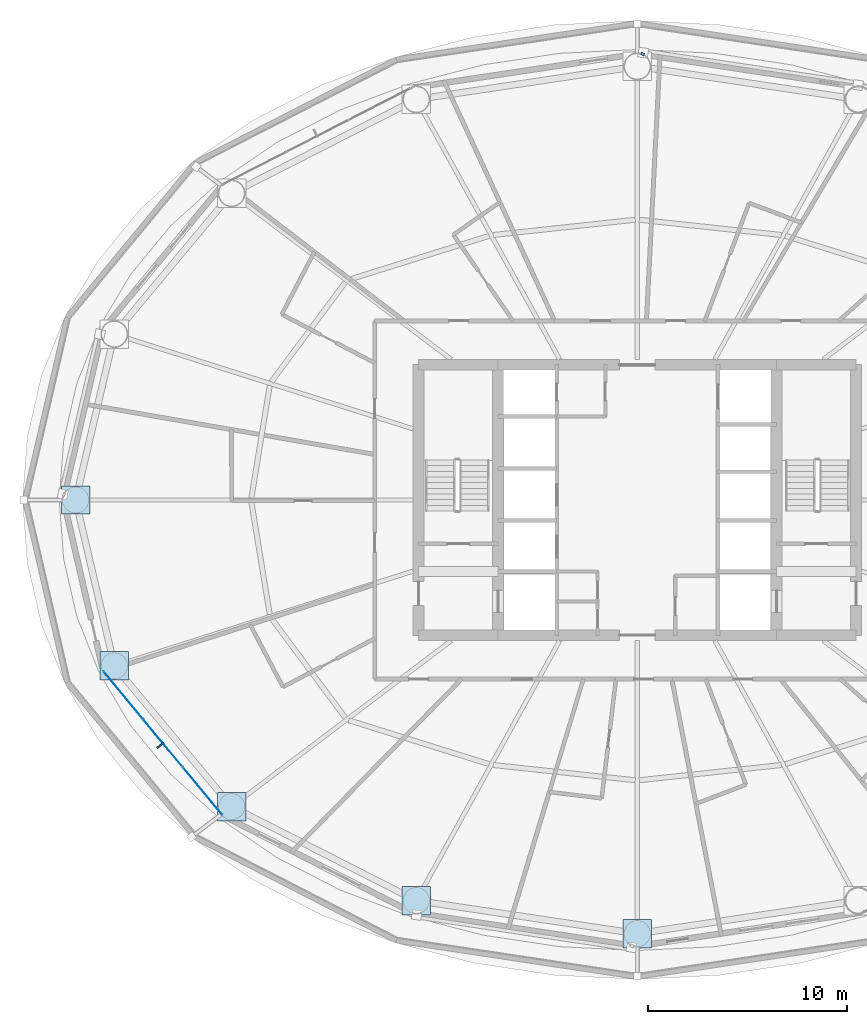
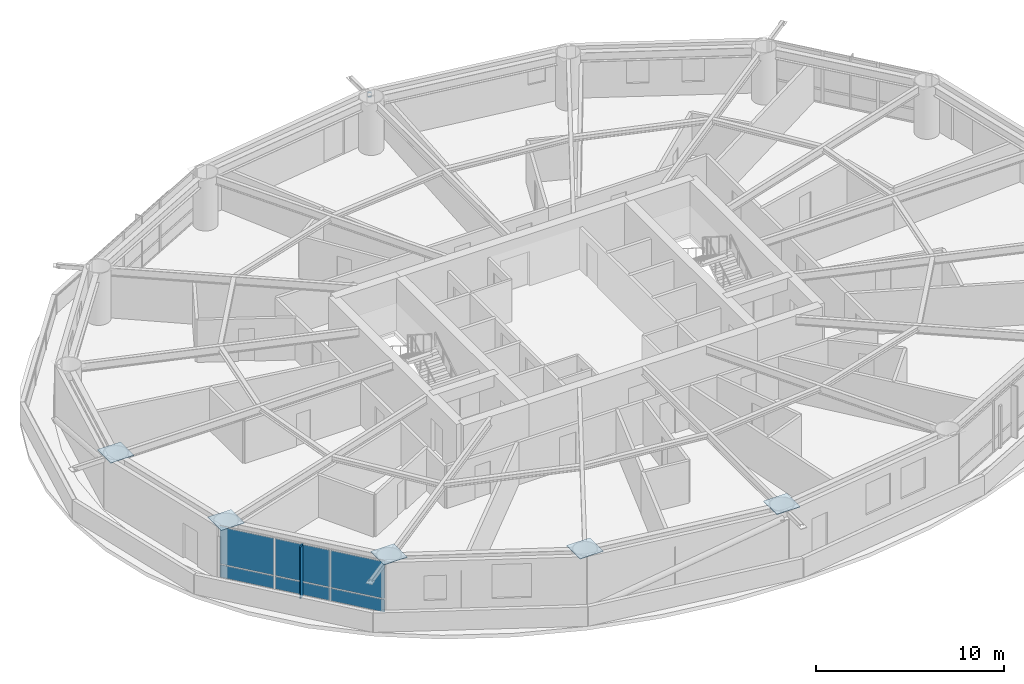
# One storey, part 14 of 25: 12 plates, 1 member, 1 element without a shape of its own.
"""IFC4 building model written with IfcOpenShell, lengths in metres."""

import ifcopenshell
import ifcopenshell.guid

model = None  # the IFC model being written
_history = None  # IfcOwnerHistory: only IFC2X3 demands one
_inside = {}  # id of a spatial element -> (the spatial element, [elements in it])
_under = {}  # id of a project, library or spatial element -> (it, [spatial elements below it])
_declared = {}  # id of a project -> (the project, [libraries it declares])
_typed = {}  # id of a type object -> (the type object, [elements of that type])
_made_of = {}  # id of a material, layer set ... -> (it, [elements and type objects made of it])


def new_model(schema):
    """Start an empty IFC model of exactly this schema.

    Asked for "IFC4X3", IfcOpenShell would pick the latest addendum, in which some entities
    have other attributes; the version numbers below select the first issue.
    IFC2X3 requires an IfcOwnerHistory on every rooted entity: one is made here for all.
    """
    global model, _history
    if schema == "IFC4X3":
        model = ifcopenshell.file(schema_version=(4, 3, 0, 0))
    else:
        model = ifcopenshell.file(schema=schema)
    _inside.clear()
    _under.clear()
    _declared.clear()
    _typed.clear()
    _made_of.clear()
    _history = None
    if model.schema == "IFC2X3":
        org = make("IfcOrganization", Name="unknown")
        user = make(
            "IfcPersonAndOrganization",
            ThePerson=make("IfcPerson", FamilyName="unknown"),
            TheOrganization=org,
        )
        app = make(
            "IfcApplication",
            ApplicationDeveloper=org,
            Version="unknown",
            ApplicationFullName="unknown",
            ApplicationIdentifier="unknown",
        )
        _history = make(
            "IfcOwnerHistory",
            OwningUser=user,
            OwningApplication=app,
            ChangeAction="ADDED",
            CreationDate=0,
        )
    return model


def make(cls, **values):
    """One entity of the class cls with the attributes given. An attribute that is None is left unset."""
    return model.create_entity(
        cls, **{name: value for name, value in values.items() if value is not None}
    )


def rooted(cls, **values):
    """An entity with a GlobalId (a new one), such as an element, a storey or a relation."""
    return make(cls, GlobalId=ifcopenshell.guid.new(), OwnerHistory=_history, **values)


def si_unit(unit_type, name, prefix=None):
    """IfcSIUnit, for example si_unit("LENGTHUNIT", "METRE", prefix="MILLI")."""
    return make("IfcSIUnit", UnitType=unit_type, Prefix=prefix, Name=name)


def assignment(units):
    """IfcUnitAssignment: the units of a project."""
    return None if units is None else make("IfcUnitAssignment", Units=units)


def point(xyz):
    """IfcCartesianPoint."""
    return None if xyz is None else make("IfcCartesianPoint", Coordinates=xyz)


def direction(xyz):
    """IfcDirection."""
    return None if xyz is None else make("IfcDirection", DirectionRatios=xyz)


def frame(location, z_axis=None, x_axis=None):
    """IfcAxis2Placement3D, a coordinate frame: its origin and axes. An axis left out is left unset."""
    return make(
        "IfcAxis2Placement3D",
        Location=point(location),
        Axis=direction(z_axis),
        RefDirection=direction(x_axis),
    )


def frame_2d(location, x_axis=None):
    """IfcAxis2Placement2D, a coordinate frame in the plane: its origin and x axis."""
    return make(
        "IfcAxis2Placement2D", Location=point(location), RefDirection=direction(x_axis)
    )


def origin():
    """The frame at (0, 0, 0) with its axes left unset."""
    return frame((0.0, 0.0, 0.0))


def origin_2d():
    """The frame at (0, 0) in the plane with its x axis left unset."""
    return frame_2d((0.0, 0.0))


def place(relative_to, where):
    """IfcLocalPlacement: puts the frame where relative to a parent placement (None: the world)."""
    return make(
        "IfcLocalPlacement", PlacementRelTo=relative_to, RelativePlacement=where
    )


def context(
    kind, dimensions, precision=None, world=None, true_north=None, identifier=None
):
    """IfcGeometricRepresentationContext, for example the 3D "Model" context."""
    return make(
        "IfcGeometricRepresentationContext",
        ContextIdentifier=identifier,
        ContextType=kind,
        CoordinateSpaceDimension=dimensions,
        Precision=precision,
        WorldCoordinateSystem=world,
        TrueNorth=true_north,
    )


def subcontext(parent, identifier, kind, view, scale=None):
    """IfcGeometricRepresentationSubContext, for example "Body" below "Model"."""
    return make(
        "IfcGeometricRepresentationSubContext",
        ContextIdentifier=identifier,
        ContextType=kind,
        ParentContext=parent,
        TargetScale=scale,
        TargetView=view,
    )


def project(units=None, contexts=None):
    """IfcProject with its units and contexts."""
    return rooted(
        "IfcProject",
        Name="project",
        RepresentationContexts=contexts,
        UnitsInContext=assignment(units),
    )


def spatial(cls, under=None, at=None, **own):
    """A site, building, storey or space (cls), placed at a placement, below another one or the project."""
    s = rooted(cls, ObjectPlacement=at, **own)
    if under is not None:
        _under.setdefault(under.id(), (under, []))[1].append(s)
    return s


def profile(cls, at=None, kind="AREA", **sizes):
    """A parametric profile (cls). Its sizes go by their IFC names, for example OverallWidth=200.0."""
    return make(cls, ProfileType=kind, Position=at, **sizes)


def rectangle(**sizes):
    """IfcRectangleProfileDef."""
    return profile("IfcRectangleProfileDef", **sizes)


def hollow_rectangle(**sizes):
    """IfcRectangleHollowProfileDef."""
    return profile("IfcRectangleHollowProfileDef", **sizes)


def extrude(swept, where, along, depth):
    """IfcExtrudedAreaSolid: the profile swept, set in the frame where, extruded along a direction by depth."""
    return make(
        "IfcExtrudedAreaSolid",
        SweptArea=swept,
        Position=where,
        ExtrudedDirection=direction(along),
        Depth=depth,
    )


def shape(context_of_items, identifier, shape_type, items):
    """IfcShapeRepresentation: the items that make up one representation, for example the "Body"."""
    return make(
        "IfcShapeRepresentation",
        ContextOfItems=context_of_items,
        RepresentationIdentifier=identifier,
        RepresentationType=shape_type,
        Items=items,
    )


def material(Name=None, Category=None):
    """IfcMaterial."""
    return make("IfcMaterial", Name=Name, Category=Category)


def layer(
    of_material, thickness, ventilated=None, Name=None, Category=None, Priority=None
):
    """IfcMaterialLayer: one layer of a wall or slab, of a material (None: an air gap)."""
    return make(
        "IfcMaterialLayer",
        Material=of_material,
        LayerThickness=thickness,
        IsVentilated=ventilated,
        Name=Name,
        Category=Category,
        Priority=Priority,
    )


def layer_set(layers, Name=None):
    """IfcMaterialLayerSet."""
    return make("IfcMaterialLayerSet", MaterialLayers=layers, LayerSetName=Name)


def material_profile(
    of_material, cross_section, Name=None, Category=None, Priority=None
):
    """IfcMaterialProfile: a cross section and its material."""
    return make(
        "IfcMaterialProfile",
        Name=Name,
        Material=of_material,
        Profile=cross_section,
        Priority=Priority,
        Category=Category,
    )


def profile_set(profiles, Name=None, composite=None):
    """IfcMaterialProfileSet."""
    return make(
        "IfcMaterialProfileSet",
        Name=Name,
        MaterialProfiles=profiles,
        CompositeProfile=composite,
    )


def made_of(thing, what):
    """Note that an element or type object is made of a material, layer set ...; save() writes the relation."""
    if what is not None:
        _made_of.setdefault(what.id(), (what, []))[1].append(thing)
    return thing


def type_object(cls, material=None, **own):
    """A type object (cls), such as IfcWallType, which elements share."""
    return made_of(rooted(cls, **own), material)


def element(
    cls,
    number,
    at=None,
    inside=None,
    cuts=None,
    type_object=None,
    material=None,
    context=None,
    identifier="Body",
    shape_type=None,
    held_by="IfcProductDefinitionShape",
    body=None,
    shapes=None,
    **own,
):
    """One element of the class cls, such as IfcWall. Its Tag is "e" and its number.

    at: its placement. inside: the storey or other place that contains it. cuts: it is an
    opening in that element (IfcRelVoidsElement). A single representation is given by context,
    identifier, shape_type and body (its items); several are given by shapes. held_by: the class
    of the entity that holds the representations. save() writes the other relations.
    """
    e = rooted(cls, Tag="e%d" % number, ObjectPlacement=at, **own)
    if body is not None:
        shapes = [shape(context, identifier, shape_type, body)]
    if shapes is not None:
        e.Representation = make(held_by, Representations=shapes)
    if inside is not None:
        _inside.setdefault(inside.id(), (inside, []))[1].append(e)
    if cuts is not None:
        rooted(
            "IfcRelVoidsElement", RelatingBuildingElement=cuts, RelatedOpeningElement=e
        )
    if type_object is not None:
        _typed.setdefault(type_object.id(), (type_object, []))[1].append(e)
    return made_of(e, material)


def aggregate(whole, parts):
    """IfcRelAggregates: a whole, such as a stair, and the parts it consists of."""
    return rooted("IfcRelAggregates", RelatingObject=whole, RelatedObjects=parts)


def save(model, path):
    """Write the relations noted so far, then the file.

    IfcRelAggregates (storeys below a building ...), IfcRelContainedInSpatialStructure (elements
    in a storey), IfcRelDefinesByType, IfcRelAssociatesMaterial and IfcRelDeclares: one each for
    every whole, place, type object, material and project.
    """
    for whole, parts in _under.values():
        aggregate(whole, parts)
    for where, things in _inside.values():
        rooted(
            "IfcRelContainedInSpatialStructure",
            RelatedElements=things,
            RelatingStructure=where,
        )
    for kind, things in _typed.values():
        rooted("IfcRelDefinesByType", RelatedObjects=things, RelatingType=kind)
    for what, things in _made_of.values():
        rooted("IfcRelAssociatesMaterial", RelatedObjects=things, RelatingMaterial=what)
    for by, libraries in _declared.values():
        rooted("IfcRelDeclares", RelatingContext=by, RelatedDefinitions=libraries)
    model.write(path)


model = new_model("IFC4")

# Units and contexts
model_context = context("Model", 3, precision=1e-05, world=origin(), true_north=direction((0.0, 1.0)))
body_context = subcontext(model_context, "Body", "Model", "MODEL_VIEW")
ifc_project = project(units=[si_unit("LENGTHUNIT", "METRE"), si_unit("AREAUNIT", "SQUARE_METRE"), si_unit("VOLUMEUNIT", "CUBIC_METRE"), si_unit("PLANEANGLEUNIT", "RADIAN"), si_unit("MASSUNIT", "GRAM", prefix="KILO")], contexts=[model_context])

# Site, building, storey
site_placement = place(None, origin())
site = spatial("IfcSite", under=ifc_project, at=site_placement, CompositionType="ELEMENT")
building_placement = place(site_placement, origin())
building = spatial("IfcBuilding", under=site, at=building_placement, Name="Sarneth Arch Tower", CompositionType="ELEMENT")
storey_placement = place(building_placement, frame((0.0, 0.0, 84.0)))
storey = spatial("IfcBuildingStorey", under=building, at=storey_placement, Name="L20", CompositionType="ELEMENT", Elevation=84.0)

# Member
ifc_material_1 = material(Name="Steel S355", Category="steel")
ifc_material_profile = material_profile(ifc_material_1, hollow_rectangle(XDim=0.199951171875, YDim=0.300048828125, WallThickness=0.012451171875, InnerFilletRadius=0.018798828125, OuterFilletRadius=0.03125, at=origin_2d()), Name="RHS300x200x12.5")
ifc_profile_set = profile_set([ifc_material_profile], Name="Steel S355")
member_type = type_object("IfcMemberType", Name="MEM-CANT-STRUT", PredefinedType="STRUT", material=ifc_profile_set)
member_placement = place(storey_placement, frame((48.2412109375, 64.357421875, 3.013427734375), z_axis=(0.397509148639, 0.917598210955, 0.0), x_axis=(-0.917598210955, 0.397509148639, 0.0)))
element("IfcMember", 1, at=member_placement, inside=storey, type_object=member_type, Name="L20 Exoskeleton brace node strut 04B", PredefinedType="STRUT", context=body_context, shape_type="SweptSolid", body=[
    extrude(hollow_rectangle(XDim=0.199951171875, YDim=0.300048828125, WallThickness=0.012451171875, InnerFilletRadius=0.018798828125, OuterFilletRadius=0.03125, at=origin_2d()), origin(), (0.0, 0.0, 1.0), 0.139404296875),
])

# Curtain wall, plates
ifc_material_2 = material(Name="Anodised aluminium Type AA25 and solar-control low-e laminated IGU", Category="aluminium")
ifc_layer_1 = layer(ifc_material_2, 0.159912109375)
ifc_layer_set_1 = layer_set([ifc_layer_1], Name="Anodised aluminium Type AA25 and solar-control low-e laminated IGU")
curtain_wall_type = type_object("IfcCurtainWallType", Name="CW-HOTEL-MID", PredefinedType="NOTDEFINED", material=ifc_layer_set_1)
curtain_wall_placement = place(storey_placement, origin())
curtain_wall = element("IfcCurtainWall", 2, at=curtain_wall_placement, inside=storey, type_object=curtain_wall_type, Name="L20 Unitised curtain wall facet 10", PredefinedType="NOTDEFINED")
ifc_material_3 = material(Name="Solar-control low-e laminated IGU", Category="glass")
ifc_layer_2 = layer(ifc_material_3, 0.028076171875)
ifc_layer_set_2 = layer_set([ifc_layer_2], Name="Solar-control low-e laminated IGU")
plate_type_1 = type_object("IfcPlateType", Name="CW-PANEL", PredefinedType="CURTAIN_PANEL", material=ifc_layer_set_2)
plate_1_placement = place(storey_placement, frame((22.15185546875, 32.192138671875, 0.06005859375), z_axis=(0.0, 0.0, 1.0), x_axis=(0.637515188684, -0.770437787363, 0.0)))
plate_1 = element("IfcPlate", 3, at=plate_1_placement, type_object=plate_type_1, Name="Curtain wall glazed vision pane CW-L20-F10/P00-00", PredefinedType="CURTAIN_PANEL", context=body_context, shape_type="SweptSolid", body=[
    extrude(rectangle(XDim=3.058349609375, YDim=0.028076171875, at=origin_2d()), origin(), (0.0, 0.0, 1.0), 0.81005859375),
])
plate_2_placement = place(storey_placement, frame((22.15185546875, 32.192138671875, 0.93017578125), z_axis=(0.0, 0.0, 1.0), x_axis=(0.637515188684, -0.770437787363, 0.0)))
plate_2 = element("IfcPlate", 4, at=plate_2_placement, type_object=plate_type_1, Name="Curtain wall glazed vision pane CW-L20-F10/P00-01", PredefinedType="CURTAIN_PANEL", context=body_context, shape_type="SweptSolid", body=[
    extrude(rectangle(XDim=3.058349609375, YDim=0.028076171875, at=origin_2d()), origin(), (0.0, 0.0, 1.0), 2.389892578125),
])
plate_3_placement = place(storey_placement, frame((24.1494140625, 29.778076171875, 0.06005859375), z_axis=(0.0, 0.0, 1.0), x_axis=(0.637515188684, -0.770437787363, 0.0)))
plate_3 = element("IfcPlate", 5, at=plate_3_placement, type_object=plate_type_1, Name="Curtain wall glazed vision pane CW-L20-F10/P01-00", PredefinedType="CURTAIN_PANEL", context=body_context, shape_type="SweptSolid", body=[
    extrude(rectangle(XDim=3.08837890625, YDim=0.028076171875, at=origin_2d()), origin(), (0.0, 0.0, 1.0), 0.81005859375),
])
plate_4_placement = place(storey_placement, frame((24.1494140625, 29.778076171875, 0.93017578125), z_axis=(0.0, 0.0, 1.0), x_axis=(0.637515188684, -0.770437787363, 0.0)))
plate_4 = element("IfcPlate", 6, at=plate_4_placement, type_object=plate_type_1, Name="Curtain wall glazed vision pane CW-L20-F10/P01-01", PredefinedType="CURTAIN_PANEL", context=body_context, shape_type="SweptSolid", body=[
    extrude(rectangle(XDim=3.08837890625, YDim=0.028076171875, at=origin_2d()), origin(), (0.0, 0.0, 1.0), 2.389892578125),
])
plate_5_placement = place(storey_placement, frame((26.14697265625, 27.364013671875, 0.06005859375), z_axis=(0.0, 0.0, 1.0), x_axis=(0.637515188684, -0.770437787363, 0.0)))
plate_5 = element("IfcPlate", 7, at=plate_5_placement, type_object=plate_type_1, Name="Curtain wall glazed vision pane CW-L20-F10/P02-00", PredefinedType="CURTAIN_PANEL", context=body_context, shape_type="SweptSolid", body=[
    extrude(rectangle(XDim=3.058349609375, YDim=0.028076171875, at=origin_2d()), origin(), (0.0, 0.0, 1.0), 0.81005859375),
])
plate_6_placement = place(storey_placement, frame((26.14697265625, 27.364013671875, 0.93017578125), z_axis=(0.0, 0.0, 1.0), x_axis=(0.637515188684, -0.770437787363, 0.0)))
plate_6 = element("IfcPlate", 8, at=plate_6_placement, type_object=plate_type_1, Name="Curtain wall glazed vision pane CW-L20-F10/P02-01", PredefinedType="CURTAIN_PANEL", context=body_context, shape_type="SweptSolid", body=[
    extrude(rectangle(XDim=3.058349609375, YDim=0.028076171875, at=origin_2d()), origin(), (0.0, 0.0, 1.0), 2.389892578125),
])
aggregate(curtain_wall, [plate_1, plate_2, plate_3, plate_4, plate_5, plate_6])

# Plates
ifc_material_4 = material(Name="Steel S355", Category="steel")
ifc_layer_3 = layer(ifc_material_4, 0.0400390625)
ifc_layer_set_3 = layer_set([ifc_layer_3], Name="Steel S355")
plate_type_2 = type_object("IfcPlateType", Name="PLT-SPLICE-40", PredefinedType="SHEET", material=ifc_layer_set_3)
for number, where, z_axis, x_axis, name in (
    (9, (19.763427734375, 42.0, 3.36181640625), (0.0, 0.0, 1.0), (1.0, 0.0, 0.0), "Steel end cap plate GP-2"),
    (10, (21.708740234375, 33.657470703125, 3.36181640625), (0.0, 0.0, 1.0), (1.0, 0.0, 0.0), "Steel end cap plate GP-2"),
    (11, (27.602294921875, 26.5849609375, 3.36181640625), (0.0, 0.0, 1.0), (1.0, 0.0, 0.0), "Steel end cap plate GP-2"),
    (12, (36.8896484375, 21.859375, 3.36181640625), (0.0, 0.0, 1.0), (1.0, 0.0, 0.0), "Steel end cap plate GP-2"),
    (13, (48.0, 20.199951171875, 3.36181640625), (0.0, 0.0, 1.0), (1.0, 0.0, 0.0), "Steel end cap plate GP-2"),
):
    element("IfcPlate", number, at=place(storey_placement, frame(where, z_axis=z_axis, x_axis=x_axis)), inside=storey, type_object=plate_type_2, Name=name, PredefinedType="SHEET", context=body_context, shape_type="SweptSolid", body=[
        extrude(rectangle(XDim=1.429931640625, YDim=1.429931640625, at=origin_2d()), origin(), (0.0, 0.0, 1.0), 0.035888671875),
    ])
ifc_material_5 = material(Name="Extruded glazed terracotta baguette fin on Aluminium 6063-T6 carrier", Category="masonry")
ifc_layer_4 = layer(ifc_material_5, 0.080078125)
ifc_layer_set_4 = layer_set([ifc_layer_4], Name="Extruded glazed terracotta baguette fin on Aluminium 6063-T6 carrier")
plate_type_3 = type_object("IfcPlateType", Name="SHADE-TERRA-FIN", PredefinedType="SHEET", material=ifc_layer_set_4)
plate_7_placement = place(storey_placement, frame((24.018310546875, 29.669677734375, 0.009765625), z_axis=(0.0, 0.0, 1.0), x_axis=(-0.770401979567, -0.63755845997, 0.0)))
element("IfcPlate", 14, at=plate_7_placement, inside=storey, type_object=plate_type_3, Name="L20 Terracotta vertical shading fin 10", PredefinedType="SHEET", context=body_context, shape_type="SweptSolid", body=[
    extrude(rectangle(XDim=0.419921875, YDim=0.080078125, at=origin_2d()), origin(), (0.0, 0.0, 1.0), 3.360107421875),
])

save(model, "model.ifc")
